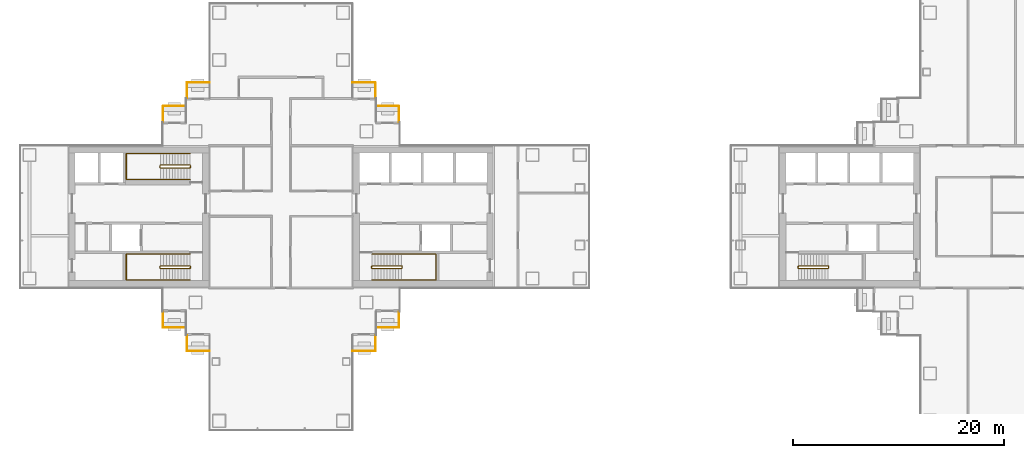
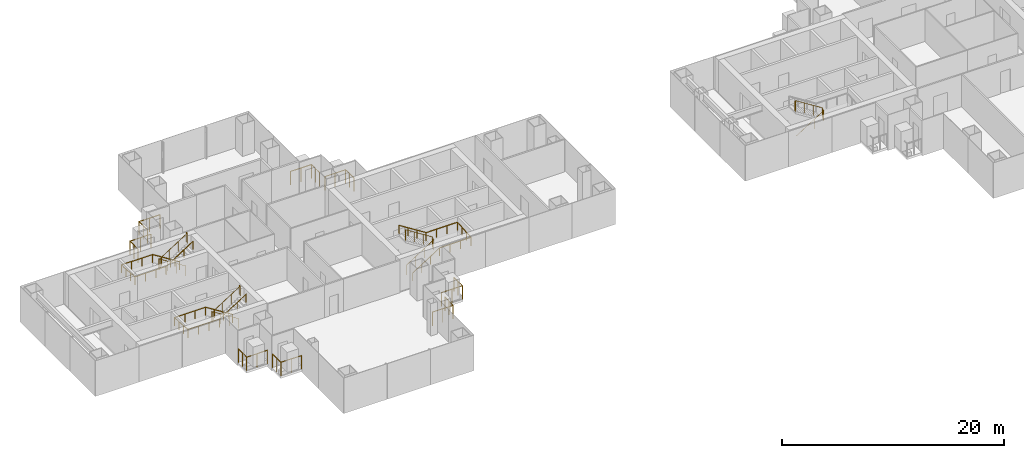
# One storey, part 18 of 20: 15 railings.
"""IFC4 building model written with IfcOpenShell, lengths in metres."""

import ifcopenshell
import ifcopenshell.guid

model = None  # the IFC model being written
_history = None  # IfcOwnerHistory: only IFC2X3 demands one
_inside = {}  # id of a spatial element -> (the spatial element, [elements in it])
_under = {}  # id of a project, library or spatial element -> (it, [spatial elements below it])
_declared = {}  # id of a project -> (the project, [libraries it declares])
_typed = {}  # id of a type object -> (the type object, [elements of that type])
_made_of = {}  # id of a material, layer set ... -> (it, [elements and type objects made of it])


def new_model(schema):
    """Start an empty IFC model of exactly this schema.

    Asked for "IFC4X3", IfcOpenShell would pick the latest addendum, in which some entities
    have other attributes; the version numbers below select the first issue.
    IFC2X3 requires an IfcOwnerHistory on every rooted entity: one is made here for all.
    """
    global model, _history
    if schema == "IFC4X3":
        model = ifcopenshell.file(schema_version=(4, 3, 0, 0))
    else:
        model = ifcopenshell.file(schema=schema)
    _inside.clear()
    _under.clear()
    _declared.clear()
    _typed.clear()
    _made_of.clear()
    _history = None
    if model.schema == "IFC2X3":
        org = make("IfcOrganization", Name="unknown")
        user = make(
            "IfcPersonAndOrganization",
            ThePerson=make("IfcPerson", FamilyName="unknown"),
            TheOrganization=org,
        )
        app = make(
            "IfcApplication",
            ApplicationDeveloper=org,
            Version="unknown",
            ApplicationFullName="unknown",
            ApplicationIdentifier="unknown",
        )
        _history = make(
            "IfcOwnerHistory",
            OwningUser=user,
            OwningApplication=app,
            ChangeAction="ADDED",
            CreationDate=0,
        )
    return model


def make(cls, **values):
    """One entity of the class cls with the attributes given. An attribute that is None is left unset."""
    return model.create_entity(
        cls, **{name: value for name, value in values.items() if value is not None}
    )


def rooted(cls, **values):
    """An entity with a GlobalId (a new one), such as an element, a storey or a relation."""
    return make(cls, GlobalId=ifcopenshell.guid.new(), OwnerHistory=_history, **values)


def si_unit(unit_type, name, prefix=None):
    """IfcSIUnit, for example si_unit("LENGTHUNIT", "METRE", prefix="MILLI")."""
    return make("IfcSIUnit", UnitType=unit_type, Prefix=prefix, Name=name)


def assignment(units):
    """IfcUnitAssignment: the units of a project."""
    return None if units is None else make("IfcUnitAssignment", Units=units)


def point(xyz):
    """IfcCartesianPoint."""
    return None if xyz is None else make("IfcCartesianPoint", Coordinates=xyz)


def direction(xyz):
    """IfcDirection."""
    return None if xyz is None else make("IfcDirection", DirectionRatios=xyz)


def frame(location, z_axis=None, x_axis=None):
    """IfcAxis2Placement3D, a coordinate frame: its origin and axes. An axis left out is left unset."""
    return make(
        "IfcAxis2Placement3D",
        Location=point(location),
        Axis=direction(z_axis),
        RefDirection=direction(x_axis),
    )


def frame_2d(location, x_axis=None):
    """IfcAxis2Placement2D, a coordinate frame in the plane: its origin and x axis."""
    return make(
        "IfcAxis2Placement2D", Location=point(location), RefDirection=direction(x_axis)
    )


def origin():
    """The frame at (0, 0, 0) with its axes left unset."""
    return frame((0.0, 0.0, 0.0))


def origin_2d():
    """The frame at (0, 0) in the plane with its x axis left unset."""
    return frame_2d((0.0, 0.0))


def place(relative_to, where):
    """IfcLocalPlacement: puts the frame where relative to a parent placement (None: the world)."""
    return make(
        "IfcLocalPlacement", PlacementRelTo=relative_to, RelativePlacement=where
    )


def context(
    kind, dimensions, precision=None, world=None, true_north=None, identifier=None
):
    """IfcGeometricRepresentationContext, for example the 3D "Model" context."""
    return make(
        "IfcGeometricRepresentationContext",
        ContextIdentifier=identifier,
        ContextType=kind,
        CoordinateSpaceDimension=dimensions,
        Precision=precision,
        WorldCoordinateSystem=world,
        TrueNorth=true_north,
    )


def subcontext(parent, identifier, kind, view, scale=None):
    """IfcGeometricRepresentationSubContext, for example "Body" below "Model"."""
    return make(
        "IfcGeometricRepresentationSubContext",
        ContextIdentifier=identifier,
        ContextType=kind,
        ParentContext=parent,
        TargetScale=scale,
        TargetView=view,
    )


def project(units=None, contexts=None):
    """IfcProject with its units and contexts."""
    return rooted(
        "IfcProject",
        Name="project",
        RepresentationContexts=contexts,
        UnitsInContext=assignment(units),
    )


def spatial(cls, under=None, at=None, **own):
    """A site, building, storey or space (cls), placed at a placement, below another one or the project."""
    s = rooted(cls, ObjectPlacement=at, **own)
    if under is not None:
        _under.setdefault(under.id(), (under, []))[1].append(s)
    return s


def profile(cls, at=None, kind="AREA", **sizes):
    """A parametric profile (cls). Its sizes go by their IFC names, for example OverallWidth=200.0."""
    return make(cls, ProfileType=kind, Position=at, **sizes)


def circle(**sizes):
    """IfcCircleProfileDef."""
    return profile("IfcCircleProfileDef", **sizes)


def extrude(swept, where, along, depth):
    """IfcExtrudedAreaSolid: the profile swept, set in the frame where, extruded along a direction by depth."""
    return make(
        "IfcExtrudedAreaSolid",
        SweptArea=swept,
        Position=where,
        ExtrudedDirection=direction(along),
        Depth=depth,
    )


def shape(context_of_items, identifier, shape_type, items):
    """IfcShapeRepresentation: the items that make up one representation, for example the "Body"."""
    return make(
        "IfcShapeRepresentation",
        ContextOfItems=context_of_items,
        RepresentationIdentifier=identifier,
        RepresentationType=shape_type,
        Items=items,
    )


def material(Name=None, Category=None):
    """IfcMaterial."""
    return make("IfcMaterial", Name=Name, Category=Category)


def made_of(thing, what):
    """Note that an element or type object is made of a material, layer set ...; save() writes the relation."""
    if what is not None:
        _made_of.setdefault(what.id(), (what, []))[1].append(thing)
    return thing


def type_object(cls, material=None, **own):
    """A type object (cls), such as IfcWallType, which elements share."""
    return made_of(rooted(cls, **own), material)


def element(
    cls,
    number,
    at=None,
    inside=None,
    cuts=None,
    type_object=None,
    material=None,
    context=None,
    identifier="Body",
    shape_type=None,
    held_by="IfcProductDefinitionShape",
    body=None,
    shapes=None,
    **own,
):
    """One element of the class cls, such as IfcWall. Its Tag is "e" and its number.

    at: its placement. inside: the storey or other place that contains it. cuts: it is an
    opening in that element (IfcRelVoidsElement). A single representation is given by context,
    identifier, shape_type and body (its items); several are given by shapes. held_by: the class
    of the entity that holds the representations. save() writes the other relations.
    """
    e = rooted(cls, Tag="e%d" % number, ObjectPlacement=at, **own)
    if body is not None:
        shapes = [shape(context, identifier, shape_type, body)]
    if shapes is not None:
        e.Representation = make(held_by, Representations=shapes)
    if inside is not None:
        _inside.setdefault(inside.id(), (inside, []))[1].append(e)
    if cuts is not None:
        rooted(
            "IfcRelVoidsElement", RelatingBuildingElement=cuts, RelatedOpeningElement=e
        )
    if type_object is not None:
        _typed.setdefault(type_object.id(), (type_object, []))[1].append(e)
    return made_of(e, material)


def aggregate(whole, parts):
    """IfcRelAggregates: a whole, such as a stair, and the parts it consists of."""
    return rooted("IfcRelAggregates", RelatingObject=whole, RelatedObjects=parts)


def save(model, path):
    """Write the relations noted so far, then the file.

    IfcRelAggregates (storeys below a building ...), IfcRelContainedInSpatialStructure (elements
    in a storey), IfcRelDefinesByType, IfcRelAssociatesMaterial and IfcRelDeclares: one each for
    every whole, place, type object, material and project.
    """
    for whole, parts in _under.values():
        aggregate(whole, parts)
    for where, things in _inside.values():
        rooted(
            "IfcRelContainedInSpatialStructure",
            RelatedElements=things,
            RelatingStructure=where,
        )
    for kind, things in _typed.values():
        rooted("IfcRelDefinesByType", RelatedObjects=things, RelatingType=kind)
    for what, things in _made_of.values():
        rooted("IfcRelAssociatesMaterial", RelatedObjects=things, RelatingMaterial=what)
    for by, libraries in _declared.values():
        rooted("IfcRelDeclares", RelatingContext=by, RelatedDefinitions=libraries)
    model.write(path)


model = new_model("IFC4")

# Units and contexts
model_context = context("Model", 3, precision=1e-05, world=origin(), true_north=direction((0.0, 1.0)))
body_context = subcontext(model_context, "Body", "Model", "MODEL_VIEW")
ifc_project = project(units=[si_unit("LENGTHUNIT", "METRE"), si_unit("AREAUNIT", "SQUARE_METRE"), si_unit("VOLUMEUNIT", "CUBIC_METRE"), si_unit("PLANEANGLEUNIT", "RADIAN"), si_unit("MASSUNIT", "GRAM", prefix="KILO")], contexts=[model_context])

# Site, building, storey
site_placement = place(None, origin())
site = spatial("IfcSite", under=ifc_project, at=site_placement, CompositionType="ELEMENT")
building_placement = place(site_placement, origin())
building = spatial("IfcBuilding", under=site, at=building_placement, Name="Shamsa Quay Exchange Towers", CompositionType="ELEMENT")
storey_placement = place(building_placement, frame((0.0, 0.0, 120.89990234375)))
storey = spatial("IfcBuildingStorey", under=building, at=storey_placement, Name="L28", CompositionType="ELEMENT", Elevation=120.89990234375)

# Railings
ifc_material_1 = material(Name="Steel S355, black powder-coated", Category="steel")
railing_type_1 = type_object("IfcRailingType", Name="BALCONY GUARD 1500", PredefinedType="GUARDRAIL", material=ifc_material_1)
for number, where, name in (
    (1, (-22.550048828125, 9.02099609375, 0.0), "Balcony guard T1-PKEN L28"),
    (2, (-24.800048828125, 11.27099609375, 0.0), "Balcony guard T1-PKEN L28"),
):
    element("IfcRailing", number, at=place(storey_placement, frame(where)), inside=storey, type_object=railing_type_1, Name=name, PredefinedType="GUARDRAIL", context=body_context, shape_type="SweptSolid", body=[
        extrude(circle(Radius=0.02392578125, at=origin_2d()), frame((0.0, 0.0, 1.47607421875), z_axis=(0.0, 1.0, 0.0), x_axis=(-1.0, 0.0, 0.0)), (0.0, 0.0, 1.0), 1.47900390625),
        extrude(circle(Radius=0.02392578125, at=origin_2d()), frame((0.0, 1.47900390625, 1.47607421875), z_axis=(-1.0, 0.0, 0.0), x_axis=(0.0, -1.0, 0.0)), (0.0, 0.0, 1.0), 2.161865234375),
        extrude(circle(Radius=0.02099609375, at=origin_2d()), origin(), (0.0, 0.0, 1.0), 1.451904296875),
        extrude(circle(Radius=0.02099609375, at=origin_2d()), frame((0.0, 0.739501953125, 0.0)), (0.0, 0.0, 1.0), 1.451904296875),
        extrude(circle(Radius=0.02099609375, at=origin_2d()), frame((0.0, 1.47900390625, 0.0)), (0.0, 0.0, 1.0), 1.451904296875),
        extrude(circle(Radius=0.02099609375, at=origin_2d()), frame((-1.0810546875, 1.47900390625, 0.0)), (0.0, 0.0, 1.0), 1.451904296875),
        extrude(circle(Radius=0.02099609375, at=origin_2d()), frame((-2.161865234375, 1.47900390625, 0.0)), (0.0, 0.0, 1.0), 1.451904296875),
    ])
for number, where, name in (
    (3, (-24.7119140625, -10.5, 0.0), "Balcony guard T1-PKES L28"),
    (4, (-26.9619140625, -12.75, 0.0), "Balcony guard T1-PKES L28"),
):
    element("IfcRailing", number, at=place(storey_placement, frame(where)), inside=storey, type_object=railing_type_1, Name=name, PredefinedType="GUARDRAIL", context=body_context, shape_type="SweptSolid", body=[
        extrude(circle(Radius=0.02392578125, at=origin_2d()), frame((0.0, 0.0, 1.47607421875), z_axis=(1.0, 0.0, 0.0), x_axis=(0.0, 1.0, 0.0)), (0.0, 0.0, 1.0), 2.161865234375),
        extrude(circle(Radius=0.02392578125, at=origin_2d()), frame((2.161865234375, 0.0, 1.47607421875), z_axis=(0.0, 1.0, 0.0), x_axis=(-1.0, 0.0, 0.0)), (0.0, 0.0, 1.0), 1.47900390625),
        extrude(circle(Radius=0.02099609375, at=origin_2d()), origin(), (0.0, 0.0, 1.0), 1.451904296875),
        extrude(circle(Radius=0.02099609375, at=origin_2d()), frame((1.0810546875, 0.0, 0.0)), (0.0, 0.0, 1.0), 1.451904296875),
        extrude(circle(Radius=0.02099609375, at=origin_2d()), frame((2.161865234375, 0.0, 0.0)), (0.0, 0.0, 1.0), 1.451904296875),
        extrude(circle(Radius=0.02099609375, at=origin_2d()), frame((2.161865234375, 0.739501953125, 0.0)), (0.0, 0.0, 1.0), 1.451904296875),
        extrude(circle(Radius=0.02099609375, at=origin_2d()), frame((2.161865234375, 1.47900390625, 0.0)), (0.0, 0.0, 1.0), 1.451904296875),
    ])
for number, where, name in (
    (5, (-40.5380859375, 12.75, 0.0), "Balcony guard T1-PKWN L28"),
    (6, (-42.7880859375, 10.5, 0.0), "Balcony guard T1-PKWN L28"),
):
    element("IfcRailing", number, at=place(storey_placement, frame(where)), inside=storey, type_object=railing_type_1, Name=name, PredefinedType="GUARDRAIL", context=body_context, shape_type="SweptSolid", body=[
        extrude(circle(Radius=0.02392578125, at=origin_2d()), frame((0.0, 0.0, 1.47607421875), z_axis=(-1.0, 0.0, 0.0), x_axis=(0.0, -1.0, 0.0)), (0.0, 0.0, 1.0), 2.161865234375),
        extrude(circle(Radius=0.02392578125, at=origin_2d()), frame((-2.161865234375, 0.0, 1.47607421875), z_axis=(0.0, -1.0, 0.0), x_axis=(1.0, 0.0, 0.0)), (0.0, 0.0, 1.0), 1.47900390625),
        extrude(circle(Radius=0.02099609375, at=origin_2d()), origin(), (0.0, 0.0, 1.0), 1.451904296875),
        extrude(circle(Radius=0.02099609375, at=origin_2d()), frame((-1.0810546875, 0.0, 0.0)), (0.0, 0.0, 1.0), 1.451904296875),
        extrude(circle(Radius=0.02099609375, at=origin_2d()), frame((-2.161865234375, 0.0, 0.0)), (0.0, 0.0, 1.0), 1.451904296875),
        extrude(circle(Radius=0.02099609375, at=origin_2d()), frame((-2.161865234375, -0.739501953125, 0.0)), (0.0, 0.0, 1.0), 1.451904296875),
        extrude(circle(Radius=0.02099609375, at=origin_2d()), frame((-2.161865234375, -1.47900390625, 0.0)), (0.0, 0.0, 1.0), 1.451904296875),
    ])
for number, where, name in (
    (7, (-44.949951171875, -9.02099609375, 0.0), "Balcony guard T1-PKWS L28"),
    (8, (-42.699951171875, -11.27099609375, 0.0), "Balcony guard T1-PKWS L28"),
):
    element("IfcRailing", number, at=place(storey_placement, frame(where)), inside=storey, type_object=railing_type_1, Name=name, PredefinedType="GUARDRAIL", context=body_context, shape_type="SweptSolid", body=[
        extrude(circle(Radius=0.02392578125, at=origin_2d()), frame((0.0, 0.0, 1.47607421875), z_axis=(0.0, -1.0, 0.0), x_axis=(1.0, 0.0, 0.0)), (0.0, 0.0, 1.0), 1.47900390625),
        extrude(circle(Radius=0.02392578125, at=origin_2d()), frame((0.0, -1.47900390625, 1.47607421875), z_axis=(1.0, 0.0, 0.0), x_axis=(0.0, 1.0, 0.0)), (0.0, 0.0, 1.0), 2.161865234375),
        extrude(circle(Radius=0.02099609375, at=origin_2d()), origin(), (0.0, 0.0, 1.0), 1.451904296875),
        extrude(circle(Radius=0.02099609375, at=origin_2d()), frame((0.0, -0.739501953125, 0.0)), (0.0, 0.0, 1.0), 1.451904296875),
        extrude(circle(Radius=0.02099609375, at=origin_2d()), frame((0.0, -1.47900390625, 0.0)), (0.0, 0.0, 1.0), 1.451904296875),
        extrude(circle(Radius=0.02099609375, at=origin_2d()), frame((1.0810546875, -1.47900390625, 0.0)), (0.0, 0.0, 1.0), 1.451904296875),
        extrude(circle(Radius=0.02099609375, at=origin_2d()), frame((2.161865234375, -1.47900390625, 0.0)), (0.0, 0.0, 1.0), 1.451904296875),
    ])
ifc_material_2 = material(Name="Stainless steel", Category="steel")
railing_type_2 = type_object("IfcRailingType", Name="STAIR GUARD 1100", PredefinedType="GUARDRAIL", material=ifc_material_2)
railing_1_placement = place(storey_placement, frame((-25.10009765625, -4.89990234375, 0.177490234375)))
element("IfcRailing", 9, at=railing_1_placement, inside=storey, type_object=railing_type_2, Name="L28 ST1 stair guard 1", PredefinedType="GUARDRAIL", context=body_context, shape_type="SweptSolid", body=[
    extrude(circle(Radius=0.02392578125, at=origin_2d()), frame((0.0, 0.0, 1.076171875), z_axis=(0.844908973607, 0.0, 0.534910110503), x_axis=(0.0, 1.0, 0.0)), (0.0, 0.0, 1.0), 3.31396484375),
    extrude(circle(Radius=0.02392578125, at=origin_2d()), frame((2.800048828125, 0.0, 2.8486328125), z_axis=(0.708833529934, 0.705375805398, 0.0), x_axis=(-0.705375805398, 0.708833529934, 0.0)), (0.0, 0.0, 1.0), 0.070556640625),
    extrude(circle(Radius=0.02392578125, at=origin_2d()), frame((2.85009765625, 0.0498046875, 2.8486328125), z_axis=(0.0, 1.0, 0.0), x_axis=(-1.0, 0.0, 0.0)), (0.0, 0.0, 1.0), 0.150146484375),
    extrude(circle(Radius=0.02392578125, at=origin_2d()), frame((2.85009765625, 0.199951171875, 2.8486328125), z_axis=(-0.262233686654, 0.262233686654, 0.928691007369), x_axis=(-0.707106781187, -0.707106781187, 0.0)), (0.0, 0.0, 1.0), 0.19091796875),
    extrude(circle(Radius=0.02392578125, at=origin_2d()), frame((2.800048828125, 0.25, 3.02587890625), z_axis=(-0.844908973607, 0.0, 0.534910110503), x_axis=(0.0, -1.0, 0.0)), (0.0, 0.0, 1.0), 3.31396484375),
    extrude(circle(Radius=0.02392578125, at=origin_2d()), frame((0.0, 0.25, 4.798828125), z_axis=(-0.24142163986, -0.970420317083, 0.0), x_axis=(0.970420317083, -0.24142163986, 0.0)), (0.0, 0.0, 1.0), 0.206298828125),
    extrude(circle(Radius=0.02392578125, at=origin_2d()), frame((-0.0498046875, 0.0498046875, 4.798828125), z_axis=(0.0, 1.0, 0.0), x_axis=(-1.0, 0.0, 0.0)), (0.0, 0.0, 1.0), 0.150146484375),
    extrude(circle(Radius=0.02099609375, at=origin_2d()), origin(), (0.0, 0.0, 1.0), 1.052001953125),
    extrude(circle(Radius=0.02099609375, at=origin_2d()), frame((0.933349609375, 0.0, 0.5908203125)), (0.0, 0.0, 1.0), 1.052001953125),
    extrude(circle(Radius=0.02099609375, at=origin_2d()), frame((1.86669921875, 0.0, 1.181884765625)), (0.0, 0.0, 1.0), 1.052001953125),
    extrude(circle(Radius=0.02099609375, at=origin_2d()), frame((2.800048828125, 0.0, 1.772705078125)), (0.0, 0.0, 1.0), 1.052001953125),
    extrude(circle(Radius=0.02099609375, at=origin_2d()), frame((2.85009765625, 0.0498046875, 1.772705078125)), (0.0, 0.0, 1.0), 1.052001953125),
    extrude(circle(Radius=0.02099609375, at=origin_2d()), frame((2.85009765625, 0.199951171875, 1.772705078125)), (0.0, 0.0, 1.0), 1.052001953125),
    extrude(circle(Radius=0.02099609375, at=origin_2d()), frame((2.800048828125, 0.25, 1.949951171875)), (0.0, 0.0, 1.0), 1.052001953125),
    extrude(circle(Radius=0.02099609375, at=origin_2d()), frame((1.86669921875, 0.25, 2.540771484375)), (0.0, 0.0, 1.0), 1.052001953125),
    extrude(circle(Radius=0.02099609375, at=origin_2d()), frame((0.933349609375, 0.25, 3.1318359375)), (0.0, 0.0, 1.0), 1.052001953125),
    extrude(circle(Radius=0.02099609375, at=origin_2d()), frame((0.0, 0.25, 3.72265625)), (0.0, 0.0, 1.0), 1.052001953125),
    extrude(circle(Radius=0.02099609375, at=origin_2d()), frame((-0.0498046875, 0.0498046875, 3.72265625)), (0.0, 0.0, 1.0), 1.052001953125),
    extrude(circle(Radius=0.02099609375, at=origin_2d()), frame((-0.0498046875, 0.199951171875, 3.72265625)), (0.0, 0.0, 1.0), 1.052001953125),
])
railing_2_placement = place(storey_placement, frame((-42.39990234375, -4.64990234375, 0.177490234375)))
element("IfcRailing", 10, at=railing_2_placement, inside=storey, type_object=railing_type_2, Name="L28 ST2 stair guard 1", PredefinedType="GUARDRAIL", context=body_context, shape_type="SweptSolid", body=[
    extrude(circle(Radius=0.02392578125, at=origin_2d()), frame((0.0, 0.0, 1.076171875), z_axis=(-0.844908973607, 0.0, 0.534910110503), x_axis=(0.0, -1.0, 0.0)), (0.0, 0.0, 1.0), 3.31396484375),
    extrude(circle(Radius=0.02392578125, at=origin_2d()), frame((-2.800048828125, 0.0, 2.8486328125), z_axis=(-0.707106781187, -0.707106781187, 0.0), x_axis=(0.707106781187, -0.707106781187, 0.0)), (0.0, 0.0, 1.0), 0.07080078125),
    extrude(circle(Radius=0.02392578125, at=origin_2d()), frame((-2.85009765625, -0.050048828125, 2.8486328125), z_axis=(0.0, -1.0, 0.0), x_axis=(1.0, 0.0, 0.0)), (0.0, 0.0, 1.0), 0.150146484375),
    extrude(circle(Radius=0.02392578125, at=origin_2d()), frame((-2.85009765625, -0.2001953125, 2.8486328125), z_axis=(0.262321481514, -0.261041864531, 0.929001929653), x_axis=(0.705375805398, 0.708833529934, 0.0)), (0.0, 0.0, 1.0), 0.190673828125),
    extrude(circle(Radius=0.02392578125, at=origin_2d()), frame((-2.800048828125, -0.25, 3.02587890625), z_axis=(0.844908973607, 0.0, 0.534910110503), x_axis=(0.0, 1.0, 0.0)), (0.0, 0.0, 1.0), 3.31396484375),
    extrude(circle(Radius=0.02392578125, at=origin_2d()), frame((0.0, -0.25, 4.798828125), z_axis=(0.241699205484, 0.970351222016, 0.0), x_axis=(-0.970351222016, 0.241699205484, 0.0)), (0.0, 0.0, 1.0), 0.2060546875),
    extrude(circle(Radius=0.02392578125, at=origin_2d()), frame((0.0498046875, -0.050048828125, 4.798828125), z_axis=(0.0, -1.0, 0.0), x_axis=(1.0, 0.0, 0.0)), (0.0, 0.0, 1.0), 0.150146484375),
    extrude(circle(Radius=0.02099609375, at=origin_2d()), origin(), (0.0, 0.0, 1.0), 1.052001953125),
    extrude(circle(Radius=0.02099609375, at=origin_2d()), frame((-0.933349609375, 0.0, 0.5908203125)), (0.0, 0.0, 1.0), 1.052001953125),
    extrude(circle(Radius=0.02099609375, at=origin_2d()), frame((-1.86669921875, 0.0, 1.181884765625)), (0.0, 0.0, 1.0), 1.052001953125),
    extrude(circle(Radius=0.02099609375, at=origin_2d()), frame((-2.800048828125, 0.0, 1.772705078125)), (0.0, 0.0, 1.0), 1.052001953125),
    extrude(circle(Radius=0.02099609375, at=origin_2d()), frame((-2.85009765625, -0.050048828125, 1.772705078125)), (0.0, 0.0, 1.0), 1.052001953125),
    extrude(circle(Radius=0.02099609375, at=origin_2d()), frame((-2.85009765625, -0.2001953125, 1.772705078125)), (0.0, 0.0, 1.0), 1.052001953125),
    extrude(circle(Radius=0.02099609375, at=origin_2d()), frame((-2.800048828125, -0.25, 1.949951171875)), (0.0, 0.0, 1.0), 1.052001953125),
    extrude(circle(Radius=0.02099609375, at=origin_2d()), frame((-1.86669921875, -0.25, 2.540771484375)), (0.0, 0.0, 1.0), 1.052001953125),
    extrude(circle(Radius=0.02099609375, at=origin_2d()), frame((-0.933349609375, -0.25, 3.1318359375)), (0.0, 0.0, 1.0), 1.052001953125),
    extrude(circle(Radius=0.02099609375, at=origin_2d()), frame((0.0, -0.25, 3.72265625)), (0.0, 0.0, 1.0), 1.052001953125),
    extrude(circle(Radius=0.02099609375, at=origin_2d()), frame((0.0498046875, -0.050048828125, 3.72265625)), (0.0, 0.0, 1.0), 1.052001953125),
    extrude(circle(Radius=0.02099609375, at=origin_2d()), frame((0.0498046875, -0.2001953125, 3.72265625)), (0.0, 0.0, 1.0), 1.052001953125),
])
railing_3_placement = place(storey_placement, frame((-42.39990234375, 4.89990234375, 0.177490234375)))
element("IfcRailing", 11, at=railing_3_placement, inside=storey, type_object=railing_type_2, Name="L28 ST3 stair guard 1", PredefinedType="GUARDRAIL", context=body_context, shape_type="SweptSolid", body=[
    extrude(circle(Radius=0.02392578125, at=origin_2d()), frame((0.0, 0.0, 1.076171875), z_axis=(-0.844908973607, 0.0, 0.534910110503), x_axis=(0.0, -1.0, 0.0)), (0.0, 0.0, 1.0), 3.31396484375),
    extrude(circle(Radius=0.02392578125, at=origin_2d()), frame((-2.800048828125, 0.0, 2.8486328125), z_axis=(-0.708833529934, -0.705375805398, 0.0), x_axis=(0.705375805398, -0.708833529934, 0.0)), (0.0, 0.0, 1.0), 0.070556640625),
    extrude(circle(Radius=0.02392578125, at=origin_2d()), frame((-2.85009765625, -0.0498046875, 2.8486328125), z_axis=(0.0, -1.0, 0.0), x_axis=(1.0, 0.0, 0.0)), (0.0, 0.0, 1.0), 0.150146484375),
    extrude(circle(Radius=0.02392578125, at=origin_2d()), frame((-2.85009765625, -0.199951171875, 2.8486328125), z_axis=(0.262233686654, -0.262233686654, 0.928691007369), x_axis=(0.707106781187, 0.707106781187, 0.0)), (0.0, 0.0, 1.0), 0.19091796875),
    extrude(circle(Radius=0.02392578125, at=origin_2d()), frame((-2.800048828125, -0.25, 3.02587890625), z_axis=(0.844908973607, 0.0, 0.534910110503), x_axis=(0.0, 1.0, 0.0)), (0.0, 0.0, 1.0), 3.31396484375),
    extrude(circle(Radius=0.02392578125, at=origin_2d()), frame((0.0, -0.25, 4.798828125), z_axis=(0.24142163986, 0.970420317083, 0.0), x_axis=(-0.970420317083, 0.24142163986, 0.0)), (0.0, 0.0, 1.0), 0.206298828125),
    extrude(circle(Radius=0.02392578125, at=origin_2d()), frame((0.0498046875, -0.0498046875, 4.798828125), z_axis=(0.0, -1.0, 0.0), x_axis=(1.0, 0.0, 0.0)), (0.0, 0.0, 1.0), 0.150146484375),
    extrude(circle(Radius=0.02099609375, at=origin_2d()), origin(), (0.0, 0.0, 1.0), 1.052001953125),
    extrude(circle(Radius=0.02099609375, at=origin_2d()), frame((-0.933349609375, 0.0, 0.5908203125)), (0.0, 0.0, 1.0), 1.052001953125),
    extrude(circle(Radius=0.02099609375, at=origin_2d()), frame((-1.86669921875, 0.0, 1.181884765625)), (0.0, 0.0, 1.0), 1.052001953125),
    extrude(circle(Radius=0.02099609375, at=origin_2d()), frame((-2.800048828125, 0.0, 1.772705078125)), (0.0, 0.0, 1.0), 1.052001953125),
    extrude(circle(Radius=0.02099609375, at=origin_2d()), frame((-2.85009765625, -0.0498046875, 1.772705078125)), (0.0, 0.0, 1.0), 1.052001953125),
    extrude(circle(Radius=0.02099609375, at=origin_2d()), frame((-2.85009765625, -0.199951171875, 1.772705078125)), (0.0, 0.0, 1.0), 1.052001953125),
    extrude(circle(Radius=0.02099609375, at=origin_2d()), frame((-2.800048828125, -0.25, 1.949951171875)), (0.0, 0.0, 1.0), 1.052001953125),
    extrude(circle(Radius=0.02099609375, at=origin_2d()), frame((-1.86669921875, -0.25, 2.540771484375)), (0.0, 0.0, 1.0), 1.052001953125),
    extrude(circle(Radius=0.02099609375, at=origin_2d()), frame((-0.933349609375, -0.25, 3.1318359375)), (0.0, 0.0, 1.0), 1.052001953125),
    extrude(circle(Radius=0.02099609375, at=origin_2d()), frame((0.0, -0.25, 3.72265625)), (0.0, 0.0, 1.0), 1.052001953125),
    extrude(circle(Radius=0.02099609375, at=origin_2d()), frame((0.0498046875, -0.0498046875, 3.72265625)), (0.0, 0.0, 1.0), 1.052001953125),
    extrude(circle(Radius=0.02099609375, at=origin_2d()), frame((0.0498046875, -0.199951171875, 3.72265625)), (0.0, 0.0, 1.0), 1.052001953125),
])
railing_4_placement = place(storey_placement, frame((15.39990234375, -4.89990234375, 0.177490234375)))
element("IfcRailing", 12, at=railing_4_placement, inside=storey, type_object=railing_type_2, Name="L28 ST4 stair guard 1", PredefinedType="GUARDRAIL", context=body_context, shape_type="SweptSolid", body=[
    extrude(circle(Radius=0.02392578125, at=origin_2d()), frame((0.0, 0.0, 1.076171875), z_axis=(0.844908973607, 0.0, 0.534910110503), x_axis=(0.0, 1.0, 0.0)), (0.0, 0.0, 1.0), 3.31396484375),
    extrude(circle(Radius=0.02392578125, at=origin_2d()), frame((2.800048828125, 0.0, 2.8486328125), z_axis=(0.708833529934, 0.705375805398, 0.0), x_axis=(-0.705375805398, 0.708833529934, 0.0)), (0.0, 0.0, 1.0), 0.070556640625),
    extrude(circle(Radius=0.02392578125, at=origin_2d()), frame((2.85009765625, 0.0498046875, 2.8486328125), z_axis=(0.0, 1.0, 0.0), x_axis=(-1.0, 0.0, 0.0)), (0.0, 0.0, 1.0), 0.150146484375),
    extrude(circle(Radius=0.02392578125, at=origin_2d()), frame((2.85009765625, 0.199951171875, 2.8486328125), z_axis=(-0.262233686654, 0.262233686654, 0.928691007369), x_axis=(-0.707106781187, -0.707106781187, 0.0)), (0.0, 0.0, 1.0), 0.19091796875),
    extrude(circle(Radius=0.02392578125, at=origin_2d()), frame((2.800048828125, 0.25, 3.02587890625), z_axis=(-0.844908973607, 0.0, 0.534910110503), x_axis=(0.0, -1.0, 0.0)), (0.0, 0.0, 1.0), 3.31396484375),
    extrude(circle(Radius=0.02392578125, at=origin_2d()), frame((0.0, 0.25, 4.798828125), z_axis=(-0.24142163986, -0.970420317083, 0.0), x_axis=(0.970420317083, -0.24142163986, 0.0)), (0.0, 0.0, 1.0), 0.206298828125),
    extrude(circle(Radius=0.02392578125, at=origin_2d()), frame((-0.0498046875, 0.0498046875, 4.798828125), z_axis=(0.0, 1.0, 0.0), x_axis=(-1.0, 0.0, 0.0)), (0.0, 0.0, 1.0), 0.150146484375),
    extrude(circle(Radius=0.02099609375, at=origin_2d()), origin(), (0.0, 0.0, 1.0), 1.052001953125),
    extrude(circle(Radius=0.02099609375, at=origin_2d()), frame((0.933349609375, 0.0, 0.5908203125)), (0.0, 0.0, 1.0), 1.052001953125),
    extrude(circle(Radius=0.02099609375, at=origin_2d()), frame((1.86669921875, 0.0, 1.181884765625)), (0.0, 0.0, 1.0), 1.052001953125),
    extrude(circle(Radius=0.02099609375, at=origin_2d()), frame((2.800048828125, 0.0, 1.772705078125)), (0.0, 0.0, 1.0), 1.052001953125),
    extrude(circle(Radius=0.02099609375, at=origin_2d()), frame((2.85009765625, 0.0498046875, 1.772705078125)), (0.0, 0.0, 1.0), 1.052001953125),
    extrude(circle(Radius=0.02099609375, at=origin_2d()), frame((2.85009765625, 0.199951171875, 1.772705078125)), (0.0, 0.0, 1.0), 1.052001953125),
    extrude(circle(Radius=0.02099609375, at=origin_2d()), frame((2.800048828125, 0.25, 1.949951171875)), (0.0, 0.0, 1.0), 1.052001953125),
    extrude(circle(Radius=0.02099609375, at=origin_2d()), frame((1.86669921875, 0.25, 2.540771484375)), (0.0, 0.0, 1.0), 1.052001953125),
    extrude(circle(Radius=0.02099609375, at=origin_2d()), frame((0.933349609375, 0.25, 3.1318359375)), (0.0, 0.0, 1.0), 1.052001953125),
    extrude(circle(Radius=0.02099609375, at=origin_2d()), frame((0.0, 0.25, 3.72265625)), (0.0, 0.0, 1.0), 1.052001953125),
    extrude(circle(Radius=0.02099609375, at=origin_2d()), frame((-0.0498046875, 0.0498046875, 3.72265625)), (0.0, 0.0, 1.0), 1.052001953125),
    extrude(circle(Radius=0.02099609375, at=origin_2d()), frame((-0.0498046875, 0.199951171875, 3.72265625)), (0.0, 0.0, 1.0), 1.052001953125),
])
railing_type_3 = type_object("IfcRailingType", Name="STAIR HANDRAIL 900", PredefinedType="HANDRAIL", material=ifc_material_2)
railing_5_placement = place(storey_placement, frame((-25.10009765625, -6.0, 0.177490234375)))
element("IfcRailing", 13, at=railing_5_placement, inside=storey, type_object=railing_type_3, Name="L28 ST1 stair handrail 1", PredefinedType="HANDRAIL", context=body_context, shape_type="SweptSolid", body=[
    extrude(circle(Radius=0.02392578125, at=origin_2d()), frame((0.0, 0.0, 0.8759765625), z_axis=(0.844908973607, 0.0, 0.534910110503), x_axis=(0.0, 1.0, 0.0)), (0.0, 0.0, 1.0), 3.31396484375),
    extrude(circle(Radius=0.02392578125, at=origin_2d()), frame((2.800048828125, 0.0, 2.6484375), z_axis=(1.0, 0.0, 0.0), x_axis=(0.0, 1.0, 0.0)), (0.0, 0.0, 1.0), 3.25),
    extrude(circle(Radius=0.02392578125, at=origin_2d()), frame((6.050048828125, 0.0, 2.6484375), z_axis=(0.0, 0.997393199914, 0.07215819264), x_axis=(-1.0, 0.0, 0.0)), (0.0, 0.0, 1.0), 2.456298828125),
    extrude(circle(Radius=0.02392578125, at=origin_2d()), frame((6.050048828125, 2.449951171875, 2.82568359375), z_axis=(-1.0, 0.0, 0.0), x_axis=(0.0, -1.0, 0.0)), (0.0, 0.0, 1.0), 3.25),
    extrude(circle(Radius=0.02392578125, at=origin_2d()), frame((2.800048828125, 2.449951171875, 2.82568359375), z_axis=(-0.844908973607, 0.0, 0.534910110503), x_axis=(0.0, -1.0, 0.0)), (0.0, 0.0, 1.0), 3.31396484375),
    extrude(circle(Radius=0.02099609375, at=origin_2d()), origin(), (0.0, 0.0, 1.0), 0.851806640625),
    extrude(circle(Radius=0.02099609375, at=origin_2d()), frame((0.933349609375, 0.0, 0.5908203125)), (0.0, 0.0, 1.0), 0.851806640625),
    extrude(circle(Radius=0.02099609375, at=origin_2d()), frame((1.86669921875, 0.0, 1.181884765625)), (0.0, 0.0, 1.0), 0.851806640625),
    extrude(circle(Radius=0.02099609375, at=origin_2d()), frame((2.800048828125, 0.0, 1.772705078125)), (0.0, 0.0, 1.0), 0.851806640625),
    extrude(circle(Radius=0.02099609375, at=origin_2d()), frame((3.88330078125, 0.0, 1.772705078125)), (0.0, 0.0, 1.0), 0.851806640625),
    extrude(circle(Radius=0.02099609375, at=origin_2d()), frame((4.966796875, 0.0, 1.772705078125)), (0.0, 0.0, 1.0), 0.851806640625),
    extrude(circle(Radius=0.02099609375, at=origin_2d()), frame((6.050048828125, 0.0, 1.772705078125)), (0.0, 0.0, 1.0), 0.851806640625),
    extrude(circle(Radius=0.02099609375, at=origin_2d()), frame((6.050048828125, 0.816650390625, 1.831787109375)), (0.0, 0.0, 1.0), 0.851806640625),
    extrude(circle(Radius=0.02099609375, at=origin_2d()), frame((6.050048828125, 1.63330078125, 1.890869140625)), (0.0, 0.0, 1.0), 0.851806640625),
    extrude(circle(Radius=0.02099609375, at=origin_2d()), frame((6.050048828125, 2.449951171875, 1.949951171875)), (0.0, 0.0, 1.0), 0.851806640625),
    extrude(circle(Radius=0.02099609375, at=origin_2d()), frame((4.966796875, 2.449951171875, 1.949951171875)), (0.0, 0.0, 1.0), 0.851806640625),
    extrude(circle(Radius=0.02099609375, at=origin_2d()), frame((3.88330078125, 2.449951171875, 1.949951171875)), (0.0, 0.0, 1.0), 0.851806640625),
    extrude(circle(Radius=0.02099609375, at=origin_2d()), frame((2.800048828125, 2.449951171875, 1.949951171875)), (0.0, 0.0, 1.0), 0.851806640625),
    extrude(circle(Radius=0.02099609375, at=origin_2d()), frame((1.86669921875, 2.449951171875, 2.540771484375)), (0.0, 0.0, 1.0), 0.851806640625),
    extrude(circle(Radius=0.02099609375, at=origin_2d()), frame((0.933349609375, 2.449951171875, 3.1318359375)), (0.0, 0.0, 1.0), 0.851806640625),
    extrude(circle(Radius=0.02099609375, at=origin_2d()), frame((0.0, 2.449951171875, 3.72265625)), (0.0, 0.0, 1.0), 0.851806640625),
])
railing_6_placement = place(storey_placement, frame((-42.39990234375, -3.550048828125, 0.177490234375)))
element("IfcRailing", 14, at=railing_6_placement, inside=storey, type_object=railing_type_3, Name="L28 ST2 stair handrail 1", PredefinedType="HANDRAIL", context=body_context, shape_type="SweptSolid", body=[
    extrude(circle(Radius=0.02392578125, at=origin_2d()), frame((0.0, 0.0, 0.8759765625), z_axis=(-0.844908973607, 0.0, 0.534910110503), x_axis=(0.0, -1.0, 0.0)), (0.0, 0.0, 1.0), 3.31396484375),
    extrude(circle(Radius=0.02392578125, at=origin_2d()), frame((-2.800048828125, 0.0, 2.6484375), z_axis=(-1.0, 0.0, 0.0), x_axis=(0.0, -1.0, 0.0)), (0.0, 0.0, 1.0), 3.25),
    extrude(circle(Radius=0.02392578125, at=origin_2d()), frame((-6.050048828125, 0.0, 2.6484375), z_axis=(0.0, -0.997393199914, 0.07215819264), x_axis=(1.0, 0.0, 0.0)), (0.0, 0.0, 1.0), 2.456298828125),
    extrude(circle(Radius=0.02392578125, at=origin_2d()), frame((-6.050048828125, -2.449951171875, 2.82568359375), z_axis=(1.0, 0.0, 0.0), x_axis=(0.0, 1.0, 0.0)), (0.0, 0.0, 1.0), 3.25),
    extrude(circle(Radius=0.02392578125, at=origin_2d()), frame((-2.800048828125, -2.449951171875, 2.82568359375), z_axis=(0.844908973607, 0.0, 0.534910110503), x_axis=(0.0, 1.0, 0.0)), (0.0, 0.0, 1.0), 3.31396484375),
    extrude(circle(Radius=0.02099609375, at=origin_2d()), origin(), (0.0, 0.0, 1.0), 0.851806640625),
    extrude(circle(Radius=0.02099609375, at=origin_2d()), frame((-0.933349609375, 0.0, 0.5908203125)), (0.0, 0.0, 1.0), 0.851806640625),
    extrude(circle(Radius=0.02099609375, at=origin_2d()), frame((-1.86669921875, 0.0, 1.181884765625)), (0.0, 0.0, 1.0), 0.851806640625),
    extrude(circle(Radius=0.02099609375, at=origin_2d()), frame((-2.800048828125, 0.0, 1.772705078125)), (0.0, 0.0, 1.0), 0.851806640625),
    extrude(circle(Radius=0.02099609375, at=origin_2d()), frame((-3.88330078125, 0.0, 1.772705078125)), (0.0, 0.0, 1.0), 0.851806640625),
    extrude(circle(Radius=0.02099609375, at=origin_2d()), frame((-4.966796875, 0.0, 1.772705078125)), (0.0, 0.0, 1.0), 0.851806640625),
    extrude(circle(Radius=0.02099609375, at=origin_2d()), frame((-6.050048828125, 0.0, 1.772705078125)), (0.0, 0.0, 1.0), 0.851806640625),
    extrude(circle(Radius=0.02099609375, at=origin_2d()), frame((-6.050048828125, -0.816650390625, 1.831787109375)), (0.0, 0.0, 1.0), 0.851806640625),
    extrude(circle(Radius=0.02099609375, at=origin_2d()), frame((-6.050048828125, -1.63330078125, 1.890869140625)), (0.0, 0.0, 1.0), 0.851806640625),
    extrude(circle(Radius=0.02099609375, at=origin_2d()), frame((-6.050048828125, -2.449951171875, 1.949951171875)), (0.0, 0.0, 1.0), 0.851806640625),
    extrude(circle(Radius=0.02099609375, at=origin_2d()), frame((-4.966796875, -2.449951171875, 1.949951171875)), (0.0, 0.0, 1.0), 0.851806640625),
    extrude(circle(Radius=0.02099609375, at=origin_2d()), frame((-3.88330078125, -2.449951171875, 1.949951171875)), (0.0, 0.0, 1.0), 0.851806640625),
    extrude(circle(Radius=0.02099609375, at=origin_2d()), frame((-2.800048828125, -2.449951171875, 1.949951171875)), (0.0, 0.0, 1.0), 0.851806640625),
    extrude(circle(Radius=0.02099609375, at=origin_2d()), frame((-1.86669921875, -2.449951171875, 2.540771484375)), (0.0, 0.0, 1.0), 0.851806640625),
    extrude(circle(Radius=0.02099609375, at=origin_2d()), frame((-0.933349609375, -2.449951171875, 3.1318359375)), (0.0, 0.0, 1.0), 0.851806640625),
    extrude(circle(Radius=0.02099609375, at=origin_2d()), frame((0.0, -2.449951171875, 3.72265625)), (0.0, 0.0, 1.0), 0.851806640625),
])
railing_7_placement = place(storey_placement, frame((-42.39990234375, 6.0, 0.177490234375)))
element("IfcRailing", 15, at=railing_7_placement, inside=storey, type_object=railing_type_3, Name="L28 ST3 stair handrail 1", PredefinedType="HANDRAIL", context=body_context, shape_type="SweptSolid", body=[
    extrude(circle(Radius=0.02392578125, at=origin_2d()), frame((0.0, 0.0, 0.8759765625), z_axis=(-0.844908973607, 0.0, 0.534910110503), x_axis=(0.0, -1.0, 0.0)), (0.0, 0.0, 1.0), 3.31396484375),
    extrude(circle(Radius=0.02392578125, at=origin_2d()), frame((-2.800048828125, 0.0, 2.6484375), z_axis=(-1.0, 0.0, 0.0), x_axis=(0.0, -1.0, 0.0)), (0.0, 0.0, 1.0), 3.25),
    extrude(circle(Radius=0.02392578125, at=origin_2d()), frame((-6.050048828125, 0.0, 2.6484375), z_axis=(0.0, -0.997393199914, 0.07215819264), x_axis=(1.0, 0.0, 0.0)), (0.0, 0.0, 1.0), 2.456298828125),
    extrude(circle(Radius=0.02392578125, at=origin_2d()), frame((-6.050048828125, -2.449951171875, 2.82568359375), z_axis=(1.0, 0.0, 0.0), x_axis=(0.0, 1.0, 0.0)), (0.0, 0.0, 1.0), 3.25),
    extrude(circle(Radius=0.02392578125, at=origin_2d()), frame((-2.800048828125, -2.449951171875, 2.82568359375), z_axis=(0.844908973607, 0.0, 0.534910110503), x_axis=(0.0, 1.0, 0.0)), (0.0, 0.0, 1.0), 3.31396484375),
    extrude(circle(Radius=0.02099609375, at=origin_2d()), origin(), (0.0, 0.0, 1.0), 0.851806640625),
    extrude(circle(Radius=0.02099609375, at=origin_2d()), frame((-0.933349609375, 0.0, 0.5908203125)), (0.0, 0.0, 1.0), 0.851806640625),
    extrude(circle(Radius=0.02099609375, at=origin_2d()), frame((-1.86669921875, 0.0, 1.181884765625)), (0.0, 0.0, 1.0), 0.851806640625),
    extrude(circle(Radius=0.02099609375, at=origin_2d()), frame((-2.800048828125, 0.0, 1.772705078125)), (0.0, 0.0, 1.0), 0.851806640625),
    extrude(circle(Radius=0.02099609375, at=origin_2d()), frame((-3.88330078125, 0.0, 1.772705078125)), (0.0, 0.0, 1.0), 0.851806640625),
    extrude(circle(Radius=0.02099609375, at=origin_2d()), frame((-4.966796875, 0.0, 1.772705078125)), (0.0, 0.0, 1.0), 0.851806640625),
    extrude(circle(Radius=0.02099609375, at=origin_2d()), frame((-6.050048828125, 0.0, 1.772705078125)), (0.0, 0.0, 1.0), 0.851806640625),
    extrude(circle(Radius=0.02099609375, at=origin_2d()), frame((-6.050048828125, -0.816650390625, 1.831787109375)), (0.0, 0.0, 1.0), 0.851806640625),
    extrude(circle(Radius=0.02099609375, at=origin_2d()), frame((-6.050048828125, -1.63330078125, 1.890869140625)), (0.0, 0.0, 1.0), 0.851806640625),
    extrude(circle(Radius=0.02099609375, at=origin_2d()), frame((-6.050048828125, -2.449951171875, 1.949951171875)), (0.0, 0.0, 1.0), 0.851806640625),
    extrude(circle(Radius=0.02099609375, at=origin_2d()), frame((-4.966796875, -2.449951171875, 1.949951171875)), (0.0, 0.0, 1.0), 0.851806640625),
    extrude(circle(Radius=0.02099609375, at=origin_2d()), frame((-3.88330078125, -2.449951171875, 1.949951171875)), (0.0, 0.0, 1.0), 0.851806640625),
    extrude(circle(Radius=0.02099609375, at=origin_2d()), frame((-2.800048828125, -2.449951171875, 1.949951171875)), (0.0, 0.0, 1.0), 0.851806640625),
    extrude(circle(Radius=0.02099609375, at=origin_2d()), frame((-1.86669921875, -2.449951171875, 2.540771484375)), (0.0, 0.0, 1.0), 0.851806640625),
    extrude(circle(Radius=0.02099609375, at=origin_2d()), frame((-0.933349609375, -2.449951171875, 3.1318359375)), (0.0, 0.0, 1.0), 0.851806640625),
    extrude(circle(Radius=0.02099609375, at=origin_2d()), frame((0.0, -2.449951171875, 3.72265625)), (0.0, 0.0, 1.0), 0.851806640625),
])

save(model, "model.ifc")
